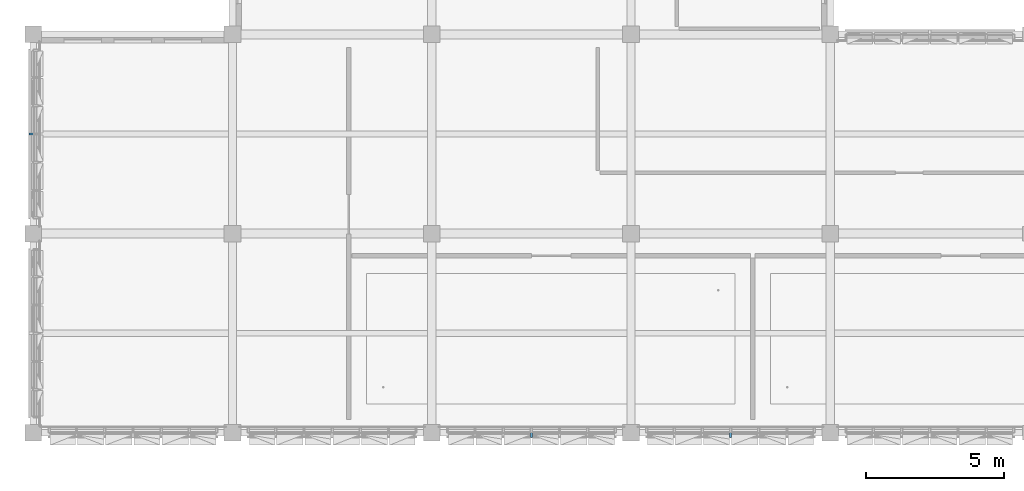
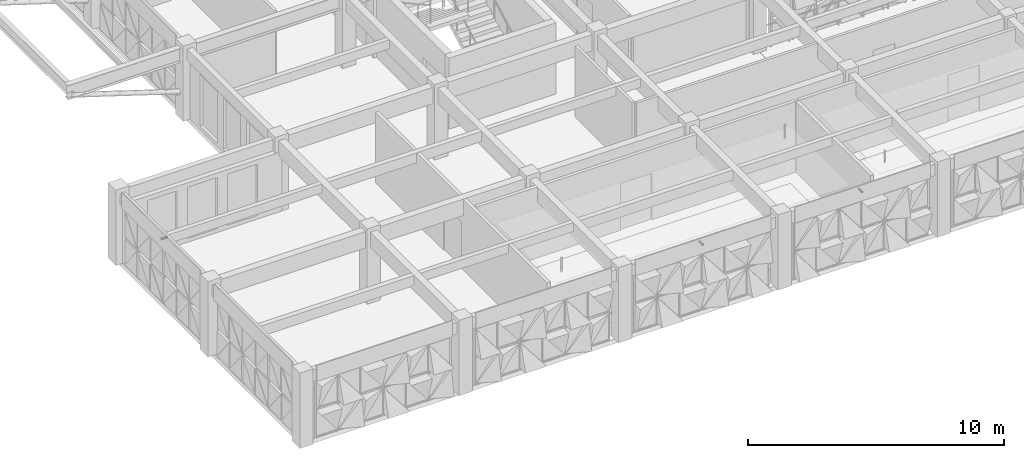
# One storey, part 67 of 99: 3 discrete accessories.
"""IFC4 building model written with IfcOpenShell, lengths in metres."""

from ifc_helpers import new_model, si_unit, direction, frame, origin, origin_2d, place, context, subcontext, project, spatial, rectangle, extrude, material, type_object, element, save


model = new_model("IFC4")

# Units and contexts
model_context = context("Model", 3, precision=1e-05, world=origin(), true_north=direction((0.0, 1.0)))
body_context = subcontext(model_context, "Body", "Model", "MODEL_VIEW")
ifc_project = project(units=[si_unit("LENGTHUNIT", "METRE"), si_unit("AREAUNIT", "SQUARE_METRE"), si_unit("VOLUMEUNIT", "CUBIC_METRE"), si_unit("PLANEANGLEUNIT", "RADIAN"), si_unit("MASSUNIT", "GRAM", prefix="KILO")], contexts=[model_context])

# Site, building, storey
site_placement = place(None, origin())
site = spatial("IfcSite", under=ifc_project, at=site_placement, CompositionType="ELEMENT")
building_placement = place(site_placement, origin())
building = spatial("IfcBuilding", under=site, at=building_placement, Name="Alvorim Cloister Faculty of Sciences", CompositionType="ELEMENT")
storey_placement = place(building_placement, frame((0.0, 0.0, 12.14990234375)))
storey = spatial("IfcBuildingStorey", under=building, at=storey_placement, Name="L03", CompositionType="ELEMENT", Elevation=12.14990234375)

# Discrete accessories
ifc_material = material(Name="Aluminium Alloy 6063-T6", Category="aluminium")
discrete_accessory_type = type_object("IfcDiscreteAccessoryType", Name="ACC-DIAG-BAR", PredefinedType="BRACKET", material=ifc_material)
for number, where, z_axis, x_axis, name in (
    (1, (25.199951171875, 0.139892578125, 3.22509765625), (0.0, -1.0, 0.0), (1.0, 0.0, 0.0), "Slab-Edge Fascia Tie Bracket ACC-01635"),
    (2, (18.0, 0.139892578125, 3.22509765625), (0.0, -1.0, 0.0), (1.0, 0.0, 0.0), "Slab-Edge Fascia Tie Bracket ACC-01648"),
    (3, (0.139892578125, 10.800048828125, 3.22509765625), (-1.0, 0.0, 0.0), (0.0, -1.0, 0.0), "Slab-Edge Fascia Tie Bracket ACC-01700"),
):
    element("IfcDiscreteAccessory", number, at=place(storey_placement, frame(where, z_axis=z_axis, x_axis=x_axis)), inside=storey, type_object=discrete_accessory_type, Name=name, PredefinedType="BRACKET", context=body_context, shape_type="SweptSolid", body=[
        extrude(rectangle(XDim=0.080078125, YDim=0.080078125, at=origin_2d()), origin(), (0.0, 0.0, 1.0), 0.2998046875),
    ])

save(model, "model.ifc")
